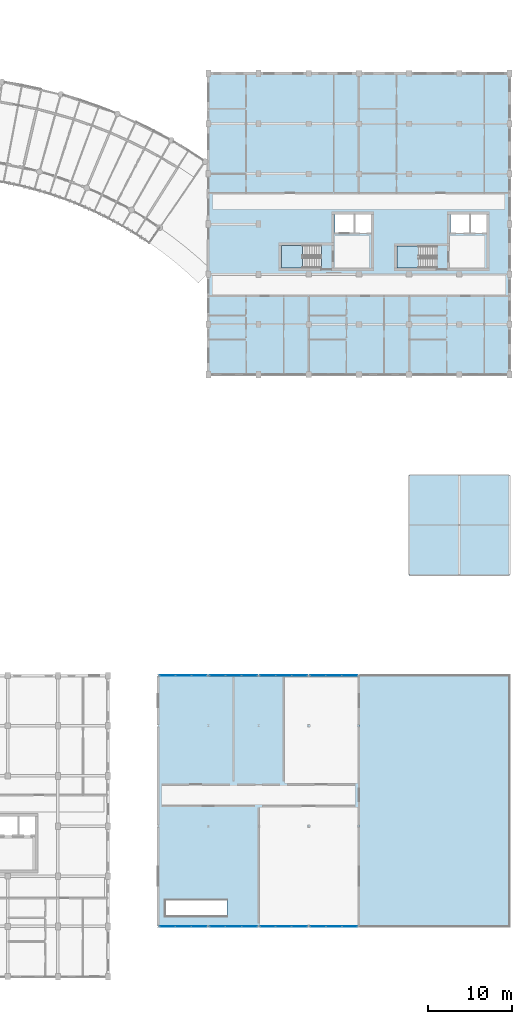
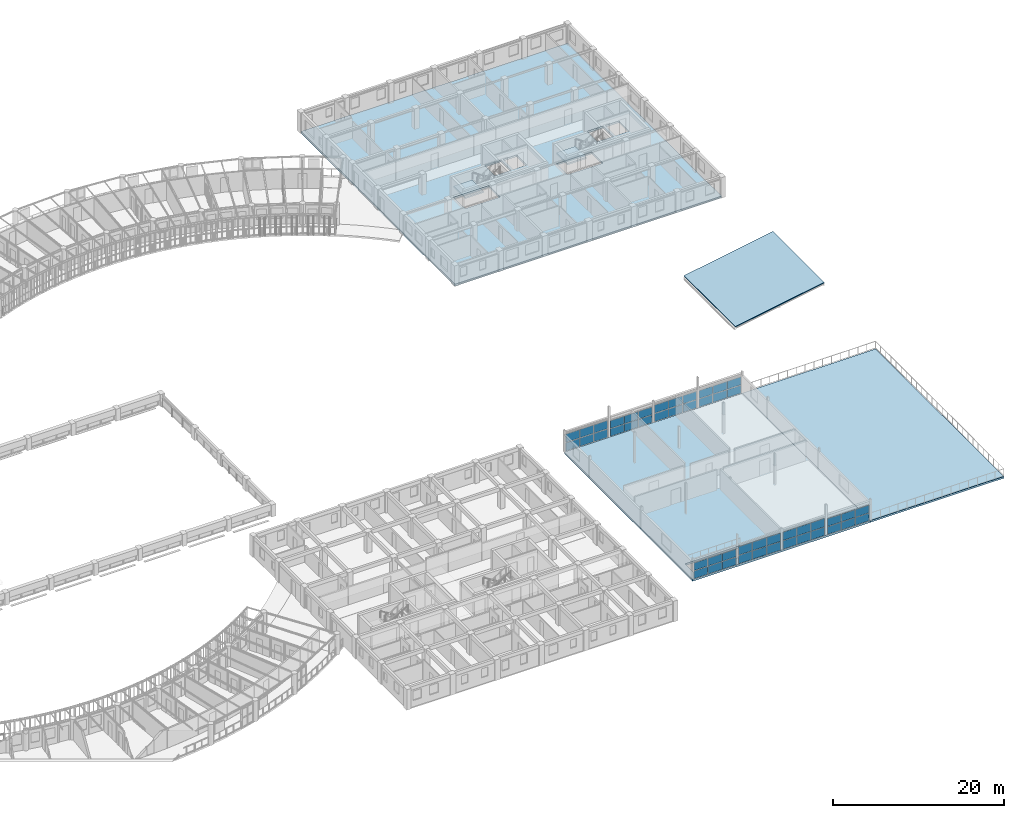
# One storey, part 82 of 137: 48 plates, 6 slabs, 10 elements without a shape of their own.
"""IFC4 building model written with IfcOpenShell, lengths in metres."""

from ifc_helpers import new_model, si_unit, direction, frame, origin, origin_2d, place, context, subcontext, project, spatial, polyline, rectangle, outline, extrude, material, layer, layer_set, type_object, element, aggregate, save


model = new_model("IFC4")

# Units and contexts
model_context = context("Model", 3, precision=1e-05, world=origin(), true_north=direction((0.0, 1.0)))
body_context = subcontext(model_context, "Body", "Model", "MODEL_VIEW")
ifc_project = project(units=[si_unit("LENGTHUNIT", "METRE"), si_unit("AREAUNIT", "SQUARE_METRE"), si_unit("VOLUMEUNIT", "CUBIC_METRE"), si_unit("PLANEANGLEUNIT", "RADIAN"), si_unit("MASSUNIT", "GRAM", prefix="KILO"), si_unit("POWERUNIT", "WATT"), si_unit("THERMODYNAMICTEMPERATUREUNIT", "KELVIN")], contexts=[model_context])

# Site, building, storey
site_placement = place(None, origin())
site = spatial("IfcSite", under=ifc_project, at=site_placement, CompositionType="ELEMENT")
building_placement = place(site_placement, origin())
building = spatial("IfcBuilding", under=site, at=building_placement, Name="Ruvembo Vaulted Housing Court", CompositionType="ELEMENT")
storey_placement = place(building_placement, frame((0.0, 0.0, 4.5)))
storey = spatial("IfcBuildingStorey", under=building, at=storey_placement, Name="L01", CompositionType="ELEMENT", Elevation=4.5)

# Curtain wall, plates
ifc_material_1 = material(Name="Anodised Aluminium and Solar-Control Glass", Category="aluminium")
ifc_layer_1 = layer(ifc_material_1, 0.139892578125, Name="Anodised Aluminium and Solar-Control Glass")
ifc_layer_set_1 = layer_set([ifc_layer_1], Name="Anodised Aluminium and Solar-Control Glass")
curtain_wall_type = type_object("IfcCurtainWallType", Name="CW-SHOPFRONT-U", PredefinedType="NOTDEFINED", material=ifc_layer_set_1)
curtain_wall_1_placement = place(storey_placement, origin())
curtain_wall_1 = element("IfcCurtainWall", 1, at=curtain_wall_1_placement, inside=storey, type_object=curtain_wall_type, Name="L01 Curtain Wall CW-L01-0144", PredefinedType="NOTDEFINED")
ifc_material_2 = material(Name="Solar-Control Laminated Insulating Glass", Category="glass")
ifc_layer_2 = layer(ifc_material_2, 0.035888671875, Name="Solar-Control Laminated Insulating Glass")
ifc_layer_set_2 = layer_set([ifc_layer_2], Name="Solar-Control Laminated Insulating Glass")
plate_type_1 = type_object("IfcPlateType", Name="CW-PANEL-ACOUST", PredefinedType="CURTAIN_PANEL", material=ifc_layer_set_2)
plate_1_placement = place(storey_placement, frame((154.905029296875, 36.0, 0.06005859375), z_axis=(0.0, 0.0, 1.0), x_axis=(-1.0, 0.0, 0.0)))
plate_1 = element("IfcPlate", 2, at=plate_1_placement, type_object=plate_type_1, Name="CW8 panel 1.1", PredefinedType="CURTAIN_PANEL", context=body_context, shape_type="SweptSolid", body=[
    extrude(rectangle(XDim=1.830078125, YDim=0.035888671875, at=origin_2d()), origin(), (0.0, 0.0, 1.0), 1.089111328125),
])
plate_2_placement = place(storey_placement, frame((154.905029296875, 36.0, 1.208984375), z_axis=(0.0, 0.0, 1.0), x_axis=(-1.0, 0.0, 0.0)))
plate_2 = element("IfcPlate", 3, at=plate_2_placement, type_object=plate_type_1, Name="CW8 panel 1.2", PredefinedType="CURTAIN_PANEL", context=body_context, shape_type="SweptSolid", body=[
    extrude(rectangle(XDim=1.830078125, YDim=0.035888671875, at=origin_2d()), origin(), (0.0, 0.0, 1.0), 1.089111328125),
])
plate_3_placement = place(storey_placement, frame((153.0, 36.0, 0.06005859375), z_axis=(0.0, 0.0, 1.0), x_axis=(-1.0, 0.0, 0.0)))
plate_3 = element("IfcPlate", 4, at=plate_3_placement, type_object=plate_type_1, Name="CW8 panel 2.1", PredefinedType="CURTAIN_PANEL", context=body_context, shape_type="SweptSolid", body=[
    extrude(rectangle(XDim=1.860107421875, YDim=0.035888671875, at=origin_2d()), origin(), (0.0, 0.0, 1.0), 1.089111328125),
])
plate_4_placement = place(storey_placement, frame((153.0, 36.0, 1.208984375), z_axis=(0.0, 0.0, 1.0), x_axis=(-1.0, 0.0, 0.0)))
plate_4 = element("IfcPlate", 5, at=plate_4_placement, type_object=plate_type_1, Name="CW8 panel 2.2", PredefinedType="CURTAIN_PANEL", context=body_context, shape_type="SweptSolid", body=[
    extrude(rectangle(XDim=1.860107421875, YDim=0.035888671875, at=origin_2d()), origin(), (0.0, 0.0, 1.0), 1.089111328125),
])
plate_5_placement = place(storey_placement, frame((151.094970703125, 36.0, 0.06005859375), z_axis=(0.0, 0.0, 1.0), x_axis=(-1.0, 0.0, 0.0)))
plate_5 = element("IfcPlate", 6, at=plate_5_placement, type_object=plate_type_1, Name="CW8 panel 3.1", PredefinedType="CURTAIN_PANEL", context=body_context, shape_type="SweptSolid", body=[
    extrude(rectangle(XDim=1.830078125, YDim=0.035888671875, at=origin_2d()), origin(), (0.0, 0.0, 1.0), 1.089111328125),
])
plate_6_placement = place(storey_placement, frame((151.094970703125, 36.0, 1.208984375), z_axis=(0.0, 0.0, 1.0), x_axis=(-1.0, 0.0, 0.0)))
plate_6 = element("IfcPlate", 7, at=plate_6_placement, type_object=plate_type_1, Name="CW8 panel 3.2", PredefinedType="CURTAIN_PANEL", context=body_context, shape_type="SweptSolid", body=[
    extrude(rectangle(XDim=1.830078125, YDim=0.035888671875, at=origin_2d()), origin(), (0.0, 0.0, 1.0), 1.089111328125),
])
aggregate(curtain_wall_1, [plate_1, plate_2, plate_3, plate_4, plate_5, plate_6])

curtain_wall_2_placement = place(storey_placement, origin())
curtain_wall_2 = element("IfcCurtainWall", 8, at=curtain_wall_2_placement, inside=storey, type_object=curtain_wall_type, Name="L01 Curtain Wall CW-L01-0150", PredefinedType="NOTDEFINED")
plate_7_placement = place(storey_placement, frame((163.09619140625, 6.0, 0.06005859375), z_axis=(0.0, 0.0, 1.0), x_axis=(1.0, 0.0, 0.0)))
plate_7 = element("IfcPlate", 9, at=plate_7_placement, type_object=plate_type_1, Name="CW8 panel 1.1", PredefinedType="CURTAIN_PANEL", context=body_context, shape_type="SweptSolid", body=[
    extrude(rectangle(XDim=1.822509765625, YDim=0.035888671875, at=origin_2d()), origin(), (0.0, 0.0, 1.0), 1.089111328125),
])
plate_8_placement = place(storey_placement, frame((163.09619140625, 6.0, 1.208984375), z_axis=(0.0, 0.0, 1.0), x_axis=(1.0, 0.0, 0.0)))
plate_8 = element("IfcPlate", 10, at=plate_8_placement, type_object=plate_type_1, Name="CW8 panel 1.2", PredefinedType="CURTAIN_PANEL", context=body_context, shape_type="SweptSolid", body=[
    extrude(rectangle(XDim=1.822509765625, YDim=0.035888671875, at=origin_2d()), origin(), (0.0, 0.0, 1.0), 1.089111328125),
])
plate_9_placement = place(storey_placement, frame((165.0, 6.0, 0.06005859375), z_axis=(0.0, 0.0, 1.0), x_axis=(1.0, 0.0, 0.0)))
plate_9 = element("IfcPlate", 11, at=plate_9_placement, type_object=plate_type_1, Name="CW8 panel 2.1", PredefinedType="CURTAIN_PANEL", context=body_context, shape_type="SweptSolid", body=[
    extrude(rectangle(XDim=1.85498046875, YDim=0.035888671875, at=origin_2d()), origin(), (0.0, 0.0, 1.0), 1.089111328125),
])
plate_10_placement = place(storey_placement, frame((165.0, 6.0, 1.208984375), z_axis=(0.0, 0.0, 1.0), x_axis=(1.0, 0.0, 0.0)))
plate_10 = element("IfcPlate", 12, at=plate_10_placement, type_object=plate_type_1, Name="CW8 panel 2.2", PredefinedType="CURTAIN_PANEL", context=body_context, shape_type="SweptSolid", body=[
    extrude(rectangle(XDim=1.85498046875, YDim=0.035888671875, at=origin_2d()), origin(), (0.0, 0.0, 1.0), 1.089111328125),
])
plate_11_placement = place(storey_placement, frame((166.90380859375, 6.0, 0.06005859375), z_axis=(0.0, 0.0, 1.0), x_axis=(1.0, 0.0, 0.0)))
plate_11 = element("IfcPlate", 13, at=plate_11_placement, type_object=plate_type_1, Name="CW8 panel 3.1", PredefinedType="CURTAIN_PANEL", context=body_context, shape_type="SweptSolid", body=[
    extrude(rectangle(XDim=1.822509765625, YDim=0.035888671875, at=origin_2d()), origin(), (0.0, 0.0, 1.0), 1.089111328125),
])
plate_12_placement = place(storey_placement, frame((166.90380859375, 6.0, 1.208984375), z_axis=(0.0, 0.0, 1.0), x_axis=(1.0, 0.0, 0.0)))
plate_12 = element("IfcPlate", 14, at=plate_12_placement, type_object=plate_type_1, Name="CW8 panel 3.2", PredefinedType="CURTAIN_PANEL", context=body_context, shape_type="SweptSolid", body=[
    extrude(rectangle(XDim=1.822509765625, YDim=0.035888671875, at=origin_2d()), origin(), (0.0, 0.0, 1.0), 1.089111328125),
])
aggregate(curtain_wall_2, [plate_7, plate_8, plate_9, plate_10, plate_11, plate_12])

curtain_wall_3_placement = place(storey_placement, origin())
curtain_wall_3 = element("IfcCurtainWall", 15, at=curtain_wall_3_placement, inside=storey, type_object=curtain_wall_type, Name="L01 Curtain Wall CW-L01-0140", PredefinedType="NOTDEFINED")
ifc_layer_3 = layer(ifc_material_2, 0.028076171875, Name="Solar-Control Laminated Insulating Glass")
ifc_layer_set_3 = layer_set([ifc_layer_3], Name="Solar-Control Laminated Insulating Glass")
plate_type_2 = type_object("IfcPlateType", Name="CW-PANEL-GLAZED", PredefinedType="CURTAIN_PANEL", material=ifc_layer_set_3)
plate_13_placement = place(storey_placement, frame((145.094970703125, 6.0, 0.06005859375), z_axis=(0.0, 0.0, 1.0), x_axis=(1.0, 0.0, 0.0)))
plate_13 = element("IfcPlate", 16, at=plate_13_placement, type_object=plate_type_2, Name="CW8 panel 1.1", PredefinedType="CURTAIN_PANEL", context=body_context, shape_type="SweptSolid", body=[
    extrude(rectangle(XDim=1.830078125, YDim=0.028076171875, at=origin_2d()), origin(), (0.0, 0.0, 1.0), 1.089111328125),
])
plate_14_placement = place(storey_placement, frame((145.094970703125, 6.0, 1.208984375), z_axis=(0.0, 0.0, 1.0), x_axis=(1.0, 0.0, 0.0)))
plate_14 = element("IfcPlate", 17, at=plate_14_placement, type_object=plate_type_2, Name="CW8 panel 1.2", PredefinedType="CURTAIN_PANEL", context=body_context, shape_type="SweptSolid", body=[
    extrude(rectangle(XDim=1.830078125, YDim=0.028076171875, at=origin_2d()), origin(), (0.0, 0.0, 1.0), 1.089111328125),
])
plate_15_placement = place(storey_placement, frame((147.0, 6.0, 0.06005859375), z_axis=(0.0, 0.0, 1.0), x_axis=(1.0, 0.0, 0.0)))
plate_15 = element("IfcPlate", 18, at=plate_15_placement, type_object=plate_type_2, Name="CW8 panel 2.1", PredefinedType="CURTAIN_PANEL", context=body_context, shape_type="SweptSolid", body=[
    extrude(rectangle(XDim=1.860107421875, YDim=0.028076171875, at=origin_2d()), origin(), (0.0, 0.0, 1.0), 1.089111328125),
])
plate_16_placement = place(storey_placement, frame((147.0, 6.0, 1.208984375), z_axis=(0.0, 0.0, 1.0), x_axis=(1.0, 0.0, 0.0)))
plate_16 = element("IfcPlate", 19, at=plate_16_placement, type_object=plate_type_2, Name="CW8 panel 2.2", PredefinedType="CURTAIN_PANEL", context=body_context, shape_type="SweptSolid", body=[
    extrude(rectangle(XDim=1.860107421875, YDim=0.028076171875, at=origin_2d()), origin(), (0.0, 0.0, 1.0), 1.089111328125),
])
plate_17_placement = place(storey_placement, frame((148.905029296875, 6.0, 0.06005859375), z_axis=(0.0, 0.0, 1.0), x_axis=(1.0, 0.0, 0.0)))
plate_17 = element("IfcPlate", 20, at=plate_17_placement, type_object=plate_type_2, Name="CW8 panel 3.1", PredefinedType="CURTAIN_PANEL", context=body_context, shape_type="SweptSolid", body=[
    extrude(rectangle(XDim=1.830078125, YDim=0.028076171875, at=origin_2d()), origin(), (0.0, 0.0, 1.0), 1.089111328125),
])
plate_18_placement = place(storey_placement, frame((148.905029296875, 6.0, 1.208984375), z_axis=(0.0, 0.0, 1.0), x_axis=(1.0, 0.0, 0.0)))
plate_18 = element("IfcPlate", 21, at=plate_18_placement, type_object=plate_type_2, Name="CW8 panel 3.2", PredefinedType="CURTAIN_PANEL", context=body_context, shape_type="SweptSolid", body=[
    extrude(rectangle(XDim=1.830078125, YDim=0.028076171875, at=origin_2d()), origin(), (0.0, 0.0, 1.0), 1.089111328125),
])
aggregate(curtain_wall_3, [plate_13, plate_14, plate_15, plate_16, plate_17, plate_18])

curtain_wall_4_placement = place(storey_placement, origin())
curtain_wall_4 = element("IfcCurtainWall", 22, at=curtain_wall_4_placement, inside=storey, type_object=curtain_wall_type, Name="L01 Curtain Wall CW-L01-0143", PredefinedType="NOTDEFINED")
plate_19_placement = place(storey_placement, frame((151.09375, 6.0, 0.06005859375), z_axis=(0.0, 0.0, 1.0), x_axis=(1.0, 0.0, 0.0)))
plate_19 = element("IfcPlate", 23, at=plate_19_placement, type_object=plate_type_2, Name="CW8 panel 1.1", PredefinedType="CURTAIN_PANEL", context=body_context, shape_type="SweptSolid", body=[
    extrude(rectangle(XDim=1.83740234375, YDim=0.028076171875, at=origin_2d()), origin(), (0.0, 0.0, 1.0), 1.18505859375),
])
plate_20_placement = place(storey_placement, frame((151.09375, 6.0, 1.304931640625), z_axis=(0.0, 0.0, 1.0), x_axis=(1.0, 0.0, 0.0)))
plate_20 = element("IfcPlate", 24, at=plate_20_placement, type_object=plate_type_2, Name="CW8 panel 1.2", PredefinedType="CURTAIN_PANEL", context=body_context, shape_type="SweptSolid", body=[
    extrude(rectangle(XDim=1.83740234375, YDim=0.028076171875, at=origin_2d()), origin(), (0.0, 0.0, 1.0), 1.18505859375),
])
plate_21_placement = place(storey_placement, frame((153.0, 6.0, 0.06005859375), z_axis=(0.0, 0.0, 1.0), x_axis=(1.0, 0.0, 0.0)))
plate_21 = element("IfcPlate", 25, at=plate_21_placement, type_object=plate_type_2, Name="CW8 panel 2.1", PredefinedType="CURTAIN_PANEL", context=body_context, shape_type="SweptSolid", body=[
    extrude(rectangle(XDim=1.864990234375, YDim=0.028076171875, at=origin_2d()), origin(), (0.0, 0.0, 1.0), 1.18505859375),
])
plate_22_placement = place(storey_placement, frame((153.0, 6.0, 1.304931640625), z_axis=(0.0, 0.0, 1.0), x_axis=(1.0, 0.0, 0.0)))
plate_22 = element("IfcPlate", 26, at=plate_22_placement, type_object=plate_type_2, Name="CW8 panel 2.2", PredefinedType="CURTAIN_PANEL", context=body_context, shape_type="SweptSolid", body=[
    extrude(rectangle(XDim=1.864990234375, YDim=0.028076171875, at=origin_2d()), origin(), (0.0, 0.0, 1.0), 1.18505859375),
])
plate_23_placement = place(storey_placement, frame((154.90625, 6.0, 0.06005859375), z_axis=(0.0, 0.0, 1.0), x_axis=(1.0, 0.0, 0.0)))
plate_23 = element("IfcPlate", 27, at=plate_23_placement, type_object=plate_type_2, Name="CW8 panel 3.1", PredefinedType="CURTAIN_PANEL", context=body_context, shape_type="SweptSolid", body=[
    extrude(rectangle(XDim=1.83740234375, YDim=0.028076171875, at=origin_2d()), origin(), (0.0, 0.0, 1.0), 1.18505859375),
])
plate_24_placement = place(storey_placement, frame((154.90625, 6.0, 1.304931640625), z_axis=(0.0, 0.0, 1.0), x_axis=(1.0, 0.0, 0.0)))
plate_24 = element("IfcPlate", 28, at=plate_24_placement, type_object=plate_type_2, Name="CW8 panel 3.2", PredefinedType="CURTAIN_PANEL", context=body_context, shape_type="SweptSolid", body=[
    extrude(rectangle(XDim=1.83740234375, YDim=0.028076171875, at=origin_2d()), origin(), (0.0, 0.0, 1.0), 1.18505859375),
])
aggregate(curtain_wall_4, [plate_19, plate_20, plate_21, plate_22, plate_23, plate_24])

curtain_wall_5_placement = place(storey_placement, origin())
curtain_wall_5 = element("IfcCurtainWall", 29, at=curtain_wall_5_placement, inside=storey, type_object=curtain_wall_type, Name="L01 Curtain Wall CW-L01-0146", PredefinedType="NOTDEFINED")
plate_25_placement = place(storey_placement, frame((157.09619140625, 6.0, 0.06005859375), z_axis=(0.0, 0.0, 1.0), x_axis=(1.0, 0.0, 0.0)))
plate_25 = element("IfcPlate", 30, at=plate_25_placement, type_object=plate_type_2, Name="CW8 panel 1.1", PredefinedType="CURTAIN_PANEL", context=body_context, shape_type="SweptSolid", body=[
    extrude(rectangle(XDim=1.822509765625, YDim=0.028076171875, at=origin_2d()), origin(), (0.0, 0.0, 1.0), 1.18505859375),
])
plate_26_placement = place(storey_placement, frame((157.09619140625, 6.0, 1.304931640625), z_axis=(0.0, 0.0, 1.0), x_axis=(1.0, 0.0, 0.0)))
plate_26 = element("IfcPlate", 31, at=plate_26_placement, type_object=plate_type_2, Name="CW8 panel 1.2", PredefinedType="CURTAIN_PANEL", context=body_context, shape_type="SweptSolid", body=[
    extrude(rectangle(XDim=1.822509765625, YDim=0.028076171875, at=origin_2d()), origin(), (0.0, 0.0, 1.0), 1.18505859375),
])
plate_27_placement = place(storey_placement, frame((159.0, 6.0, 0.06005859375), z_axis=(0.0, 0.0, 1.0), x_axis=(1.0, 0.0, 0.0)))
plate_27 = element("IfcPlate", 32, at=plate_27_placement, type_object=plate_type_2, Name="CW8 panel 2.1", PredefinedType="CURTAIN_PANEL", context=body_context, shape_type="SweptSolid", body=[
    extrude(rectangle(XDim=1.85498046875, YDim=0.028076171875, at=origin_2d()), origin(), (0.0, 0.0, 1.0), 1.18505859375),
])
plate_28_placement = place(storey_placement, frame((159.0, 6.0, 1.304931640625), z_axis=(0.0, 0.0, 1.0), x_axis=(1.0, 0.0, 0.0)))
plate_28 = element("IfcPlate", 33, at=plate_28_placement, type_object=plate_type_2, Name="CW8 panel 2.2", PredefinedType="CURTAIN_PANEL", context=body_context, shape_type="SweptSolid", body=[
    extrude(rectangle(XDim=1.85498046875, YDim=0.028076171875, at=origin_2d()), origin(), (0.0, 0.0, 1.0), 1.18505859375),
])
plate_29_placement = place(storey_placement, frame((160.90380859375, 6.0, 0.06005859375), z_axis=(0.0, 0.0, 1.0), x_axis=(1.0, 0.0, 0.0)))
plate_29 = element("IfcPlate", 34, at=plate_29_placement, type_object=plate_type_2, Name="CW8 panel 3.1", PredefinedType="CURTAIN_PANEL", context=body_context, shape_type="SweptSolid", body=[
    extrude(rectangle(XDim=1.822509765625, YDim=0.028076171875, at=origin_2d()), origin(), (0.0, 0.0, 1.0), 1.18505859375),
])
plate_30_placement = place(storey_placement, frame((160.90380859375, 6.0, 1.304931640625), z_axis=(0.0, 0.0, 1.0), x_axis=(1.0, 0.0, 0.0)))
plate_30 = element("IfcPlate", 35, at=plate_30_placement, type_object=plate_type_2, Name="CW8 panel 3.2", PredefinedType="CURTAIN_PANEL", context=body_context, shape_type="SweptSolid", body=[
    extrude(rectangle(XDim=1.822509765625, YDim=0.028076171875, at=origin_2d()), origin(), (0.0, 0.0, 1.0), 1.18505859375),
])
aggregate(curtain_wall_5, [plate_25, plate_26, plate_27, plate_28, plate_29, plate_30])

curtain_wall_6_placement = place(storey_placement, origin())
curtain_wall_6 = element("IfcCurtainWall", 36, at=curtain_wall_6_placement, inside=storey, type_object=curtain_wall_type, Name="L01 Curtain Wall CW-L01-0152", PredefinedType="NOTDEFINED")
plate_31_placement = place(storey_placement, frame((166.905029296875, 36.0, 0.06005859375), z_axis=(0.0, 0.0, 1.0), x_axis=(-1.0, 0.0, 0.0)))
plate_31 = element("IfcPlate", 37, at=plate_31_placement, type_object=plate_type_2, Name="CW8 panel 1.1", PredefinedType="CURTAIN_PANEL", context=body_context, shape_type="SweptSolid", body=[
    extrude(rectangle(XDim=1.830078125, YDim=0.028076171875, at=origin_2d()), origin(), (0.0, 0.0, 1.0), 1.138916015625),
])
plate_32_placement = place(storey_placement, frame((166.905029296875, 36.0, 1.25927734375), z_axis=(0.0, 0.0, 1.0), x_axis=(-1.0, 0.0, 0.0)))
plate_32 = element("IfcPlate", 38, at=plate_32_placement, type_object=plate_type_2, Name="CW8 panel 1.2", PredefinedType="CURTAIN_PANEL", context=body_context, shape_type="SweptSolid", body=[
    extrude(rectangle(XDim=1.830078125, YDim=0.028076171875, at=origin_2d()), origin(), (0.0, 0.0, 1.0), 1.138916015625),
])
plate_33_placement = place(storey_placement, frame((165.0, 36.0, 0.06005859375), z_axis=(0.0, 0.0, 1.0), x_axis=(-1.0, 0.0, 0.0)))
plate_33 = element("IfcPlate", 39, at=plate_33_placement, type_object=plate_type_2, Name="CW8 panel 2.1", PredefinedType="CURTAIN_PANEL", context=body_context, shape_type="SweptSolid", body=[
    extrude(rectangle(XDim=1.860107421875, YDim=0.028076171875, at=origin_2d()), origin(), (0.0, 0.0, 1.0), 1.138916015625),
])
plate_34_placement = place(storey_placement, frame((165.0, 36.0, 1.25927734375), z_axis=(0.0, 0.0, 1.0), x_axis=(-1.0, 0.0, 0.0)))
plate_34 = element("IfcPlate", 40, at=plate_34_placement, type_object=plate_type_2, Name="CW8 panel 2.2", PredefinedType="CURTAIN_PANEL", context=body_context, shape_type="SweptSolid", body=[
    extrude(rectangle(XDim=1.860107421875, YDim=0.028076171875, at=origin_2d()), origin(), (0.0, 0.0, 1.0), 1.138916015625),
])
plate_35_placement = place(storey_placement, frame((163.094970703125, 36.0, 0.06005859375), z_axis=(0.0, 0.0, 1.0), x_axis=(-1.0, 0.0, 0.0)))
plate_35 = element("IfcPlate", 41, at=plate_35_placement, type_object=plate_type_2, Name="CW8 panel 3.1", PredefinedType="CURTAIN_PANEL", context=body_context, shape_type="SweptSolid", body=[
    extrude(rectangle(XDim=1.830078125, YDim=0.028076171875, at=origin_2d()), origin(), (0.0, 0.0, 1.0), 1.138916015625),
])
plate_36_placement = place(storey_placement, frame((163.094970703125, 36.0, 1.25927734375), z_axis=(0.0, 0.0, 1.0), x_axis=(-1.0, 0.0, 0.0)))
plate_36 = element("IfcPlate", 42, at=plate_36_placement, type_object=plate_type_2, Name="CW8 panel 3.2", PredefinedType="CURTAIN_PANEL", context=body_context, shape_type="SweptSolid", body=[
    extrude(rectangle(XDim=1.830078125, YDim=0.028076171875, at=origin_2d()), origin(), (0.0, 0.0, 1.0), 1.138916015625),
])
aggregate(curtain_wall_6, [plate_31, plate_32, plate_33, plate_34, plate_35, plate_36])

curtain_wall_7_placement = place(storey_placement, origin())
curtain_wall_7 = element("IfcCurtainWall", 43, at=curtain_wall_7_placement, inside=storey, type_object=curtain_wall_type, Name="L01 Curtain Wall CW-L01-0142", PredefinedType="NOTDEFINED")
ifc_layer_4 = layer(ifc_material_2, 0.031982421875, Name="Solar-Control Laminated Insulating Glass")
ifc_layer_set_4 = layer_set([ifc_layer_4], Name="Solar-Control Laminated Insulating Glass")
plate_type_3 = type_object("IfcPlateType", Name="CW-PANEL-SOLAR", PredefinedType="CURTAIN_PANEL", material=ifc_layer_set_4)
plate_37_placement = place(storey_placement, frame((148.90380859375, 36.0, 0.06494140625), z_axis=(0.0, 0.0, 1.0), x_axis=(-1.0, 0.0, 0.0)))
plate_37 = element("IfcPlate", 44, at=plate_37_placement, type_object=plate_type_3, Name="CW8 panel 1.1", PredefinedType="CURTAIN_PANEL", context=body_context, shape_type="SweptSolid", body=[
    extrude(rectangle(XDim=1.822509765625, YDim=0.031982421875, at=origin_2d()), origin(), (0.0, 0.0, 1.0), 1.177490234375),
])
plate_38_placement = place(storey_placement, frame((148.90380859375, 36.0, 1.3076171875), z_axis=(0.0, 0.0, 1.0), x_axis=(-1.0, 0.0, 0.0)))
plate_38 = element("IfcPlate", 45, at=plate_38_placement, type_object=plate_type_3, Name="CW8 panel 1.2", PredefinedType="CURTAIN_PANEL", context=body_context, shape_type="SweptSolid", body=[
    extrude(rectangle(XDim=1.822509765625, YDim=0.031982421875, at=origin_2d()), origin(), (0.0, 0.0, 1.0), 1.177490234375),
])
plate_39_placement = place(storey_placement, frame((147.0, 36.0, 0.06494140625), z_axis=(0.0, 0.0, 1.0), x_axis=(-1.0, 0.0, 0.0)))
plate_39 = element("IfcPlate", 46, at=plate_39_placement, type_object=plate_type_3, Name="CW8 panel 2.1", PredefinedType="CURTAIN_PANEL", context=body_context, shape_type="SweptSolid", body=[
    extrude(rectangle(XDim=1.85498046875, YDim=0.031982421875, at=origin_2d()), origin(), (0.0, 0.0, 1.0), 1.177490234375),
])
plate_40_placement = place(storey_placement, frame((147.0, 36.0, 1.3076171875), z_axis=(0.0, 0.0, 1.0), x_axis=(-1.0, 0.0, 0.0)))
plate_40 = element("IfcPlate", 47, at=plate_40_placement, type_object=plate_type_3, Name="CW8 panel 2.2", PredefinedType="CURTAIN_PANEL", context=body_context, shape_type="SweptSolid", body=[
    extrude(rectangle(XDim=1.85498046875, YDim=0.031982421875, at=origin_2d()), origin(), (0.0, 0.0, 1.0), 1.177490234375),
])
plate_41_placement = place(storey_placement, frame((145.09619140625, 36.0, 0.06494140625), z_axis=(0.0, 0.0, 1.0), x_axis=(-1.0, 0.0, 0.0)))
plate_41 = element("IfcPlate", 48, at=plate_41_placement, type_object=plate_type_3, Name="CW8 panel 3.1", PredefinedType="CURTAIN_PANEL", context=body_context, shape_type="SweptSolid", body=[
    extrude(rectangle(XDim=1.822509765625, YDim=0.031982421875, at=origin_2d()), origin(), (0.0, 0.0, 1.0), 1.177490234375),
])
plate_42_placement = place(storey_placement, frame((145.09619140625, 36.0, 1.3076171875), z_axis=(0.0, 0.0, 1.0), x_axis=(-1.0, 0.0, 0.0)))
plate_42 = element("IfcPlate", 49, at=plate_42_placement, type_object=plate_type_3, Name="CW8 panel 3.2", PredefinedType="CURTAIN_PANEL", context=body_context, shape_type="SweptSolid", body=[
    extrude(rectangle(XDim=1.822509765625, YDim=0.031982421875, at=origin_2d()), origin(), (0.0, 0.0, 1.0), 1.177490234375),
])
aggregate(curtain_wall_7, [plate_37, plate_38, plate_39, plate_40, plate_41, plate_42])

curtain_wall_8_placement = place(storey_placement, origin())
curtain_wall_8 = element("IfcCurtainWall", 50, at=curtain_wall_8_placement, inside=storey, type_object=curtain_wall_type, Name="L01 Curtain Wall CW-L01-0148", PredefinedType="NOTDEFINED")
plate_43_placement = place(storey_placement, frame((160.905029296875, 36.0, 0.06494140625), z_axis=(0.0, 0.0, 1.0), x_axis=(-1.0, 0.0, 0.0)))
plate_43 = element("IfcPlate", 51, at=plate_43_placement, type_object=plate_type_3, Name="CW8 panel 1.1", PredefinedType="CURTAIN_PANEL", context=body_context, shape_type="SweptSolid", body=[
    extrude(rectangle(XDim=1.830078125, YDim=0.031982421875, at=origin_2d()), origin(), (0.0, 0.0, 1.0), 1.151611328125),
])
plate_44_placement = place(storey_placement, frame((160.905029296875, 36.0, 1.28125), z_axis=(0.0, 0.0, 1.0), x_axis=(-1.0, 0.0, 0.0)))
plate_44 = element("IfcPlate", 52, at=plate_44_placement, type_object=plate_type_3, Name="CW8 panel 1.2", PredefinedType="CURTAIN_PANEL", context=body_context, shape_type="SweptSolid", body=[
    extrude(rectangle(XDim=1.830078125, YDim=0.031982421875, at=origin_2d()), origin(), (0.0, 0.0, 1.0), 1.151611328125),
])
plate_45_placement = place(storey_placement, frame((159.0, 36.0, 0.06494140625), z_axis=(0.0, 0.0, 1.0), x_axis=(-1.0, 0.0, 0.0)))
plate_45 = element("IfcPlate", 53, at=plate_45_placement, type_object=plate_type_3, Name="CW8 panel 2.1", PredefinedType="CURTAIN_PANEL", context=body_context, shape_type="SweptSolid", body=[
    extrude(rectangle(XDim=1.860107421875, YDim=0.031982421875, at=origin_2d()), origin(), (0.0, 0.0, 1.0), 1.151611328125),
])
plate_46_placement = place(storey_placement, frame((159.0, 36.0, 1.28125), z_axis=(0.0, 0.0, 1.0), x_axis=(-1.0, 0.0, 0.0)))
plate_46 = element("IfcPlate", 54, at=plate_46_placement, type_object=plate_type_3, Name="CW8 panel 2.2", PredefinedType="CURTAIN_PANEL", context=body_context, shape_type="SweptSolid", body=[
    extrude(rectangle(XDim=1.860107421875, YDim=0.031982421875, at=origin_2d()), origin(), (0.0, 0.0, 1.0), 1.151611328125),
])
plate_47_placement = place(storey_placement, frame((157.094970703125, 36.0, 0.06494140625), z_axis=(0.0, 0.0, 1.0), x_axis=(-1.0, 0.0, 0.0)))
plate_47 = element("IfcPlate", 55, at=plate_47_placement, type_object=plate_type_3, Name="CW8 panel 3.1", PredefinedType="CURTAIN_PANEL", context=body_context, shape_type="SweptSolid", body=[
    extrude(rectangle(XDim=1.830078125, YDim=0.031982421875, at=origin_2d()), origin(), (0.0, 0.0, 1.0), 1.151611328125),
])
plate_48_placement = place(storey_placement, frame((157.094970703125, 36.0, 1.28125), z_axis=(0.0, 0.0, 1.0), x_axis=(-1.0, 0.0, 0.0)))
plate_48 = element("IfcPlate", 56, at=plate_48_placement, type_object=plate_type_3, Name="CW8 panel 3.2", PredefinedType="CURTAIN_PANEL", context=body_context, shape_type="SweptSolid", body=[
    extrude(rectangle(XDim=1.830078125, YDim=0.031982421875, at=origin_2d()), origin(), (0.0, 0.0, 1.0), 1.151611328125),
])
aggregate(curtain_wall_8, [plate_43, plate_44, plate_45, plate_46, plate_47, plate_48])

# Slabs
ifc_material_3 = material(Name="Concrete C35/45", Category="concrete")
ifc_layer_5 = layer(ifc_material_3, 0.1201171875, Name="Concrete C35/45")
ifc_layer_set_5 = layer_set([ifc_layer_5], Name="Concrete C35/45")
slab_type_1 = type_object("IfcSlabType", Name="SL-CANOPY-120", PredefinedType="ROOF", material=ifc_layer_set_5)
slab_1_placement = place(storey_placement, frame((174.0, 48.0, 0.1201171875), z_axis=(-0.173632170535, 0.0, 0.984810575367), x_axis=(0.984810575367, 0.0, 0.173632170535)))
element("IfcSlab", 57, at=slab_1_placement, inside=storey, type_object=slab_type_1, Name="Street Entrance Canopy Roof Slab CAN-E", PredefinedType="ROOF", context=body_context, shape_type="SweptSolid", body=[
    extrude(outline(polyline([(0.0, 0.0), (12.18508442146256, 0.0), (12.18508442146256, 12.0), (0.0, 12.0), (0.0, 0.0)])), origin(), (0.0, 0.0, -1.0), 0.1201171875),
])
ifc_material_4 = material(Name="Concrete C30/37", Category="concrete")
ifc_layer_6 = layer(ifc_material_4, 0.27001953125, Name="Concrete C30/37")
ifc_layer_set_6 = layer_set([ifc_layer_6], Name="Concrete C30/37")
slab_type_2 = type_object("IfcSlabType", Name="SL-FLR-270", PredefinedType="FLOOR", material=ifc_layer_set_6)
slab_2_placement = place(storey_placement, frame((0.0, 0.0, -0.27001953125)))
element("IfcSlab", 58, at=slab_2_placement, inside=storey, type_object=slab_type_2, Name="Block D L01 Structural Floor Slab", PredefinedType="FLOOR", context=body_context, shape_type="SweptSolid", body=[
    extrude(outline(polyline([(186.0, 72.0), (186.0, 108.0), (150.0, 108.0), (150.0, 72.0), (186.0, 72.0)]), holes=[polyline([(163.5, 87.449951171875), (158.75, 87.449951171875), (158.75, 84.75), (163.5, 84.75), (163.5, 87.449951171875)]), polyline([(165.14990234375, 88.85009765625), (167.35009765625, 88.85009765625), (167.35009765625, 91.25), (165.14990234375, 91.25), (165.14990234375, 88.85009765625)]), polyline([(167.60009765625, 88.85009765625), (169.449951171875, 88.85009765625), (169.449951171875, 91.25), (167.60009765625, 91.25), (167.60009765625, 88.85009765625)]), polyline([(177.35009765625, 87.35009765625), (172.550048828125, 87.35009765625), (172.550048828125, 84.75), (177.35009765625, 84.75), (177.35009765625, 87.35009765625)]), polyline([(178.949951171875, 88.85009765625), (181.14990234375, 88.85009765625), (181.14990234375, 91.25), (178.949951171875, 91.25), (178.949951171875, 88.85009765625)]), polyline([(181.39990234375, 88.85009765625), (183.25, 88.85009765625), (183.25, 91.25), (181.39990234375, 91.25), (181.39990234375, 88.85009765625)])]), origin(), (0.0, 0.0, 1.0), 0.27001953125),
])
slab_3_placement = place(storey_placement, frame((0.0, 0.0, -0.27001953125)))
element("IfcSlab", 59, at=slab_3_placement, inside=storey, type_object=slab_type_2, Name="Shops and Coworking L01 Upper Floor Slab", PredefinedType="FLOOR", context=body_context, shape_type="SweptSolid", body=[
    extrude(outline(polyline([(144.0, 6.0), (168.0, 6.0), (168.0, 36.0), (144.0, 36.0), (144.0, 6.0)]), holes=[polyline([(144.800048828125, 7.199951171875), (152.219970703125, 7.199951171875), (152.219970703125, 9.199951171875), (144.800048828125, 9.199951171875), (144.800048828125, 7.199951171875)])]), origin(), (0.0, 0.0, 1.0), 0.27001953125),
])

# Stair, slab
stair_type_1 = type_object("IfcStairType", Name="STR-CORE-1250", PredefinedType="HALF_TURN_STAIR", material=ifc_material_3)
stair_1_placement = place(storey_placement, origin())
stair_1 = element("IfcStair", 60, at=stair_1_placement, inside=storey, type_object=stair_type_1, Name="L01 Protected Exit Stair ST-D1", PredefinedType="HALF_TURN_STAIR")
ifc_layer_7 = layer(ifc_material_4, 0.201904296875, Name="Concrete C30/37")
ifc_layer_set_7 = layer_set([ifc_layer_7], Name="Concrete C30/37")
slab_type_3 = type_object("IfcSlabType", Name="SL-LAND-202", PredefinedType="LANDING", material=ifc_layer_set_7)
slab_4_placement = place(storey_placement, frame((0.0, 0.0, 1.39990234375)))
slab_4 = element("IfcSlab", 61, at=slab_4_placement, type_object=slab_type_3, Name="ST-D1 landing 1", PredefinedType="LANDING", context=body_context, shape_type="SweptSolid", body=[
    extrude(outline(polyline([(161.260009765625, 87.449951171875), (158.75, 87.449951171875), (158.75, 84.75), (161.260009765625, 84.75), (161.260009765625, 87.449951171875)])), origin(), (0.0, 0.0, 1.0), 0.2001953125),
])
aggregate(stair_1, [slab_4])

stair_type_2 = type_object("IfcStairType", Name="STR-CORE-1200", PredefinedType="HALF_TURN_STAIR", material=ifc_material_3)
stair_2_placement = place(storey_placement, origin())
stair_2 = element("IfcStair", 62, at=stair_2_placement, inside=storey, type_object=stair_type_2, Name="L01 Protected Exit Stair ST-D2", PredefinedType="HALF_TURN_STAIR")
slab_5_placement = place(storey_placement, frame((0.0, 0.0, 1.39990234375)))
slab_5 = element("IfcSlab", 63, at=slab_5_placement, type_object=slab_type_3, Name="ST-D2 landing 1", PredefinedType="LANDING", context=body_context, shape_type="SweptSolid", body=[
    extrude(outline(polyline([(175.110107421875, 87.35009765625), (172.550048828125, 87.35009765625), (172.550048828125, 84.75), (175.110107421875, 84.75), (175.110107421875, 87.35009765625)])), origin(), (0.0, 0.0, 1.0), 0.2001953125),
])
aggregate(stair_2, [slab_5])

# Slab
ifc_layer_8 = layer(ifc_material_4, 0.260009765625, Name="Concrete C30/37")
ifc_layer_set_8 = layer_set([ifc_layer_8], Name="Concrete C30/37")
slab_type_4 = type_object("IfcSlabType", Name="SL-TER-260", PredefinedType="FLOOR", material=ifc_layer_set_8)
slab_6_placement = place(storey_placement, frame((0.0, 0.0, -0.260009765625)))
element("IfcSlab", 64, at=slab_6_placement, inside=storey, type_object=slab_type_4, Name="Shops Pavilion L01 Communal Roof Garden Slab", PredefinedType="FLOOR", context=body_context, shape_type="SweptSolid", body=[
    extrude(outline(polyline([(168.0, 6.0), (186.0, 6.0), (186.0, 36.0), (168.0, 36.0), (168.0, 6.0)])), origin(), (0.0, 0.0, 1.0), 0.260009765625),
])

save(model, "model.ifc")
